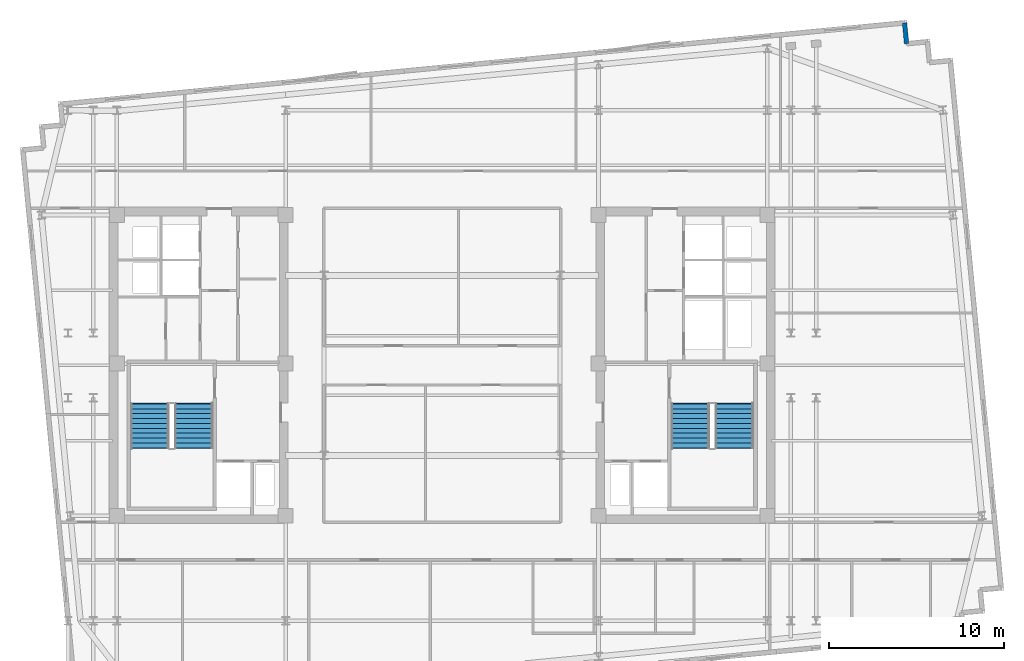
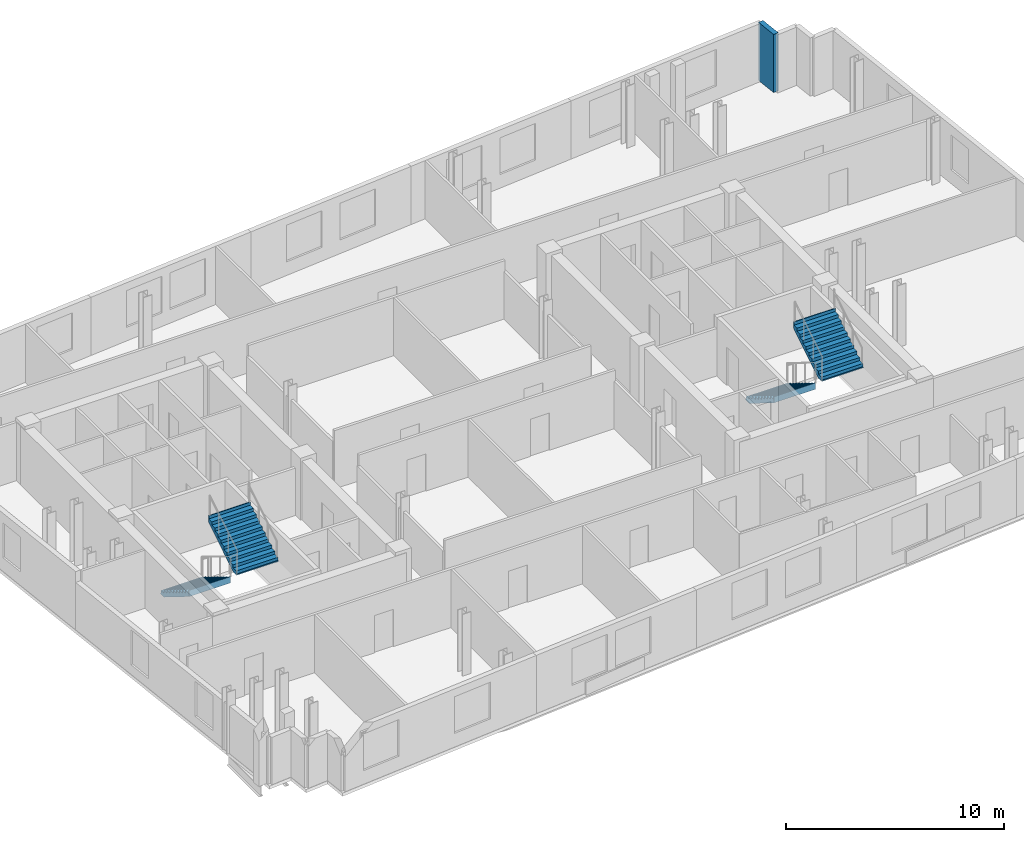
# One storey, part 7 of 9: 4 stair flights, 1 wall, 2 elements without a shape of their own.
"""IFC4 building model written with IfcOpenShell, lengths in metres."""

from ifc_helpers import new_model, si_unit, direction, frame, frame_2d, origin, place, context, subcontext, project, spatial, polyline, rectangle, outline, extrude, material, layer, layer_set, type_object, element, aggregate, save


model = new_model("IFC4")

# Units and contexts
model_context = context("Model", 3, precision=1e-05, world=origin(), true_north=direction((0.0, 1.0)))
body_context = subcontext(model_context, "Body", "Model", "MODEL_VIEW")
ifc_project = project(units=[si_unit("LENGTHUNIT", "METRE"), si_unit("AREAUNIT", "SQUARE_METRE"), si_unit("VOLUMEUNIT", "CUBIC_METRE"), si_unit("PLANEANGLEUNIT", "RADIAN"), si_unit("MASSUNIT", "GRAM", prefix="KILO")], contexts=[model_context])

# Site, building, storey
site_placement = place(None, origin())
site = spatial("IfcSite", under=ifc_project, at=site_placement, CompositionType="ELEMENT")
building_placement = place(site_placement, origin())
building = spatial("IfcBuilding", under=site, at=building_placement, Name="Velakula Bourse", CompositionType="ELEMENT")
storey_placement = place(building_placement, frame((0.0, 0.0, 268.949951171875)))
storey = spatial("IfcBuildingStorey", under=building, at=storey_placement, Name="L73", CompositionType="ELEMENT", Elevation=268.949951171875)

# Wall
ifc_material_1 = material(Name="Buff kilned clay facing brick masonry", Category="masonry")
ifc_layer_1 = layer(ifc_material_1, 0.260009765625, Name="Buff kilned clay facing brick masonry", Category="masonry")
ifc_layer_set_1 = layer_set([ifc_layer_1], Name="Buff kilned clay facing brick masonry")
wall_type = type_object("IfcWallType", Name="WL-EXT-BRK-260", PredefinedType="STANDARD", material=ifc_layer_set_1)
wall_placement = place(storey_placement, frame((26.5712890625, 18.39892578125, 0.0), z_axis=(0.0, 0.0, 1.0), x_axis=(-0.095817067274, 0.995398960025, 0.0)))
element("IfcWall", 1, at=wall_placement, inside=storey, type_object=wall_type, Name="L73 Serrated Corner Brick Wall NE-4", PredefinedType="STANDARD", context=body_context, shape_type="SweptSolid", body=[
    extrude(rectangle(XDim=1.2001953125, YDim=0.260009765625, at=frame_2d((0.60009765625, 0.0))), origin(), (0.0, 0.0, 1.0), 3.25),
])

# Stair, stair flights
ifc_material_2 = material(Name="Concrete M45 (fck 45 MPa)", Category="concrete")
stair_type = type_object("IfcStairType", Name="STR-DOG-390", PredefinedType="HALF_TURN_STAIR", material=ifc_material_2)
stair_1_placement = place(storey_placement, origin())
stair_1 = element("IfcStair", 2, at=stair_1_placement, inside=storey, type_object=stair_type, Name="L73 West Core Exit Stair ST-W1", PredefinedType="HALF_TURN_STAIR")
ifc_layer_2 = layer(ifc_material_2, 0.195068359375, Name="Concrete M45 (fck 45 MPa)", Category="concrete")
ifc_layer_set_2 = layer_set([ifc_layer_2], Name="Concrete M45 (fck 45 MPa)")
stair_flight_type = type_object("IfcStairFlightType", Name="FLT-DOG-390", PredefinedType="STRAIGHT", material=ifc_layer_set_2)
stair_flight_1_placement = place(storey_placement, frame((-16.720947265625, -2.199951171875, 0.0), z_axis=(0.0, 0.0, 1.0), x_axis=(0.0, -1.0, 0.0)))
stair_flight_1 = element("IfcStairFlight", 3, at=stair_flight_1_placement, type_object=stair_flight_type, Name="ST-W1 flight 1", NumberOfRisers=10, NumberOfTreads=9, PredefinedType="STRAIGHT", RiserHeight=0.1725, TreadLength=0.28, context=body_context, shape_type="SweptSolid", body=[
    extrude(outline(polyline([(-0.044921875, -0.0400390625), (-0.044921875, -0.036865234375), (-0.044921875, -0.033935546875), (-0.044921875, -0.03076171875), (-0.044921875, -0.027587890625), (-0.044921875, -0.024658203125), (-0.044921875, -0.021484375), (-0.044921875, -0.0185546875), (-0.044921875, -0.015380859375), (-0.044921875, -0.01220703125), (-0.044921875, -0.00927734375), (-0.044921875, -0.006103515625), (-0.044921875, -0.003173828125), (-0.044921875, 0.0), (0.0, 0.0), (0.0, 0.172607421875), (0.280029296875, 0.172607421875), (0.280029296875, 0.344970703125), (0.56005859375, 0.344970703125), (0.56005859375, 0.517578125), (0.840087890625, 0.517578125), (0.840087890625, 0.68994140625), (1.1201171875, 0.68994140625), (1.1201171875, 0.862548828125), (1.39990234375, 0.862548828125), (1.39990234375, 1.034912109375), (1.679931640625, 1.034912109375), (1.679931640625, 1.20751953125), (1.9599609375, 1.20751953125), (1.9599609375, 1.3798828125), (2.239990234375, 1.3798828125), (2.239990234375, 1.552490234375), (2.52001953125, 1.552490234375), (2.52001953125, 1.72509765625), (2.56494140625, 1.72509765625), (2.56494140625, 1.7001953125), (2.56494140625, 1.67529296875), (2.56494140625, 1.650390625), (2.56494140625, 1.62548828125), (2.56494140625, 1.6005859375), (2.56494140625, 1.57568359375), (2.56494140625, 1.55078125), (2.56494140625, 1.52587890625), (2.56494140625, 1.5009765625), (2.56494140625, 1.47607421875), (2.56494140625, 1.451171875), (2.56494140625, 1.42626953125), (2.56494140625, 1.4013671875), (2.56494140625, 1.37646484375), (0.285888671875, -0.0400390625), (-0.044921875, -0.0400390625)])), frame((0.0, 1.09912109375, 0.0), z_axis=(0.0, -1.0, 0.0), x_axis=(1.0, 0.0, 0.0)), (0.0, 0.0, 1.0), 2.197998046875),
])
stair_flight_2_placement = place(storey_placement, frame((-14.198974609375, -4.719970703125, 1.72509765625), z_axis=(0.0, 0.0, 1.0), x_axis=(0.0, 1.0, 0.0)))
stair_flight_2 = element("IfcStairFlight", 4, at=stair_flight_2_placement, type_object=stair_flight_type, Name="ST-W1 flight 2", NumberOfRisers=10, NumberOfTreads=9, PredefinedType="STRAIGHT", RiserHeight=0.1725, TreadLength=0.28, context=body_context, shape_type="SweptSolid", body=[
    extrude(outline(polyline([(-0.044921875, -0.0400390625), (-0.044921875, -0.036865234375), (-0.044921875, -0.033935546875), (-0.044921875, -0.03076171875), (-0.044921875, -0.027587890625), (-0.044921875, -0.024658203125), (-0.044921875, -0.021484375), (-0.044921875, -0.0185546875), (-0.044921875, -0.015380859375), (-0.044921875, -0.01220703125), (-0.044921875, -0.00927734375), (-0.044921875, -0.006103515625), (-0.044921875, -0.003173828125), (-0.044921875, 0.0), (0.0, 0.0), (0.0, 0.172607421875), (0.280029296875, 0.172607421875), (0.280029296875, 0.344970703125), (0.56005859375, 0.344970703125), (0.56005859375, 0.517578125), (0.840087890625, 0.517578125), (0.840087890625, 0.68994140625), (1.1201171875, 0.68994140625), (1.1201171875, 0.862548828125), (1.39990234375, 0.862548828125), (1.39990234375, 1.034912109375), (1.679931640625, 1.034912109375), (1.679931640625, 1.20751953125), (1.9599609375, 1.20751953125), (1.9599609375, 1.3798828125), (2.239990234375, 1.3798828125), (2.239990234375, 1.552490234375), (2.52001953125, 1.552490234375), (2.52001953125, 1.72509765625), (2.56494140625, 1.72509765625), (2.56494140625, 1.7001953125), (2.56494140625, 1.67529296875), (2.56494140625, 1.650390625), (2.56494140625, 1.62548828125), (2.56494140625, 1.6005859375), (2.56494140625, 1.57568359375), (2.56494140625, 1.55078125), (2.56494140625, 1.52587890625), (2.56494140625, 1.5009765625), (2.56494140625, 1.47607421875), (2.56494140625, 1.451171875), (2.56494140625, 1.42626953125), (2.56494140625, 1.4013671875), (2.56494140625, 1.37646484375), (0.285888671875, -0.0400390625), (-0.044921875, -0.0400390625)])), frame((0.0, 1.09912109375, 0.0), z_axis=(0.0, -1.0, 0.0), x_axis=(1.0, 0.0, 0.0)), (0.0, 0.0, 1.0), 2.197998046875),
])
aggregate(stair_1, [stair_flight_1, stair_flight_2])

stair_2_placement = place(storey_placement, origin())
stair_2 = element("IfcStair", 5, at=stair_2_placement, inside=storey, type_object=stair_type, Name="L73 East Core Exit Stair ST-E1", PredefinedType="HALF_TURN_STAIR")
stair_flight_3_placement = place(storey_placement, frame((14.198974609375, -2.199951171875, 0.0), z_axis=(0.0, 0.0, 1.0), x_axis=(0.0, -1.0, 0.0)))
stair_flight_3 = element("IfcStairFlight", 6, at=stair_flight_3_placement, type_object=stair_flight_type, Name="ST-E1 flight 1", NumberOfRisers=10, NumberOfTreads=9, PredefinedType="STRAIGHT", RiserHeight=0.1725, TreadLength=0.28, context=body_context, shape_type="SweptSolid", body=[
    extrude(outline(polyline([(-0.044921875, -0.0400390625), (-0.044921875, -0.036865234375), (-0.044921875, -0.033935546875), (-0.044921875, -0.03076171875), (-0.044921875, -0.027587890625), (-0.044921875, -0.024658203125), (-0.044921875, -0.021484375), (-0.044921875, -0.0185546875), (-0.044921875, -0.015380859375), (-0.044921875, -0.01220703125), (-0.044921875, -0.00927734375), (-0.044921875, -0.006103515625), (-0.044921875, -0.003173828125), (-0.044921875, 0.0), (0.0, 0.0), (0.0, 0.172607421875), (0.280029296875, 0.172607421875), (0.280029296875, 0.344970703125), (0.56005859375, 0.344970703125), (0.56005859375, 0.517578125), (0.840087890625, 0.517578125), (0.840087890625, 0.68994140625), (1.1201171875, 0.68994140625), (1.1201171875, 0.862548828125), (1.39990234375, 0.862548828125), (1.39990234375, 1.034912109375), (1.679931640625, 1.034912109375), (1.679931640625, 1.20751953125), (1.9599609375, 1.20751953125), (1.9599609375, 1.3798828125), (2.239990234375, 1.3798828125), (2.239990234375, 1.552490234375), (2.52001953125, 1.552490234375), (2.52001953125, 1.72509765625), (2.56494140625, 1.72509765625), (2.56494140625, 1.7001953125), (2.56494140625, 1.67529296875), (2.56494140625, 1.650390625), (2.56494140625, 1.62548828125), (2.56494140625, 1.6005859375), (2.56494140625, 1.57568359375), (2.56494140625, 1.55078125), (2.56494140625, 1.52587890625), (2.56494140625, 1.5009765625), (2.56494140625, 1.47607421875), (2.56494140625, 1.451171875), (2.56494140625, 1.42626953125), (2.56494140625, 1.4013671875), (2.56494140625, 1.37646484375), (0.285888671875, -0.0400390625), (-0.044921875, -0.0400390625)])), frame((0.0, 1.09912109375, 0.0), z_axis=(0.0, -1.0, 0.0), x_axis=(1.0, 0.0, 0.0)), (0.0, 0.0, 1.0), 2.197998046875),
])
stair_flight_4_placement = place(storey_placement, frame((16.720947265625, -4.719970703125, 1.72509765625), z_axis=(0.0, 0.0, 1.0), x_axis=(0.0, 1.0, 0.0)))
stair_flight_4 = element("IfcStairFlight", 7, at=stair_flight_4_placement, type_object=stair_flight_type, Name="ST-E1 flight 2", NumberOfRisers=10, NumberOfTreads=9, PredefinedType="STRAIGHT", RiserHeight=0.1725, TreadLength=0.28, context=body_context, shape_type="SweptSolid", body=[
    extrude(outline(polyline([(-0.044921875, -0.0400390625), (-0.044921875, -0.036865234375), (-0.044921875, -0.033935546875), (-0.044921875, -0.03076171875), (-0.044921875, -0.027587890625), (-0.044921875, -0.024658203125), (-0.044921875, -0.021484375), (-0.044921875, -0.0185546875), (-0.044921875, -0.015380859375), (-0.044921875, -0.01220703125), (-0.044921875, -0.00927734375), (-0.044921875, -0.006103515625), (-0.044921875, -0.003173828125), (-0.044921875, 0.0), (0.0, 0.0), (0.0, 0.172607421875), (0.280029296875, 0.172607421875), (0.280029296875, 0.344970703125), (0.56005859375, 0.344970703125), (0.56005859375, 0.517578125), (0.840087890625, 0.517578125), (0.840087890625, 0.68994140625), (1.1201171875, 0.68994140625), (1.1201171875, 0.862548828125), (1.39990234375, 0.862548828125), (1.39990234375, 1.034912109375), (1.679931640625, 1.034912109375), (1.679931640625, 1.20751953125), (1.9599609375, 1.20751953125), (1.9599609375, 1.3798828125), (2.239990234375, 1.3798828125), (2.239990234375, 1.552490234375), (2.52001953125, 1.552490234375), (2.52001953125, 1.72509765625), (2.56494140625, 1.72509765625), (2.56494140625, 1.7001953125), (2.56494140625, 1.67529296875), (2.56494140625, 1.650390625), (2.56494140625, 1.62548828125), (2.56494140625, 1.6005859375), (2.56494140625, 1.57568359375), (2.56494140625, 1.55078125), (2.56494140625, 1.52587890625), (2.56494140625, 1.5009765625), (2.56494140625, 1.47607421875), (2.56494140625, 1.451171875), (2.56494140625, 1.42626953125), (2.56494140625, 1.4013671875), (2.56494140625, 1.37646484375), (0.285888671875, -0.0400390625), (-0.044921875, -0.0400390625)])), frame((0.0, 1.09912109375, 0.0), z_axis=(0.0, -1.0, 0.0), x_axis=(1.0, 0.0, 0.0)), (0.0, 0.0, 1.0), 2.197998046875),
])
aggregate(stair_2, [stair_flight_3, stair_flight_4])

save(model, "model.ifc")
